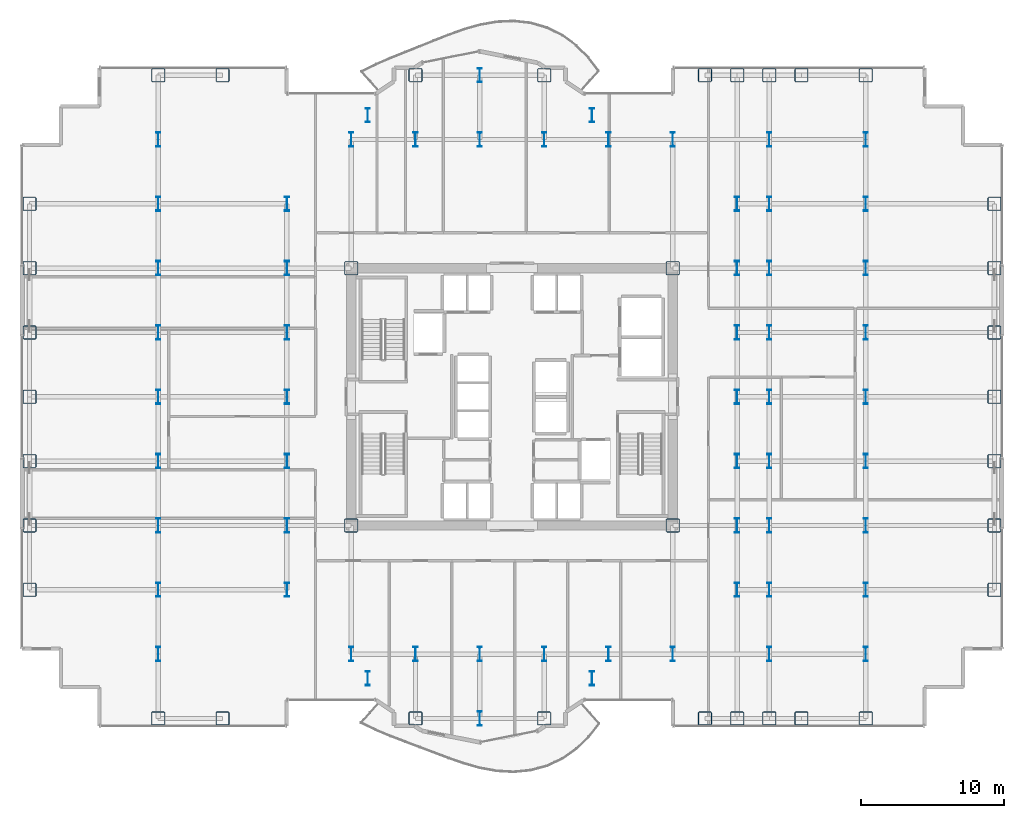
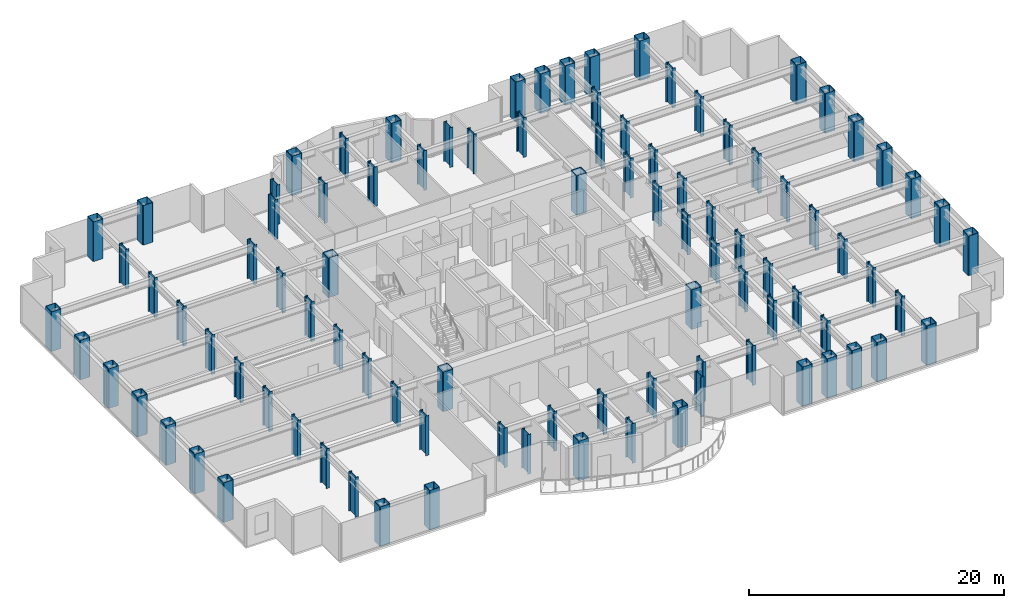
# One storey, part 1 of 29: 95 columns.
"""IFC4 building model written with IfcOpenShell, lengths in metres."""

from ifc_helpers import new_model, si_unit, direction, frame, origin, origin_2d, place, context, subcontext, project, spatial, hollow_rectangle, i_section, extrude, source, transform, mapped, material, material_profile, profile_set, type_object, element, save


model = new_model("IFC4")

# Units and contexts
model_context = context("Model", 3, precision=1e-05, world=origin(), true_north=direction((0.0, 1.0)))
body_context = subcontext(model_context, "Body", "Model", "MODEL_VIEW")
ifc_project = project(units=[si_unit("LENGTHUNIT", "METRE"), si_unit("AREAUNIT", "SQUARE_METRE"), si_unit("VOLUMEUNIT", "CUBIC_METRE"), si_unit("PLANEANGLEUNIT", "RADIAN"), si_unit("MASSUNIT", "GRAM", prefix="KILO")], contexts=[model_context])

# Site, building, storey
site_placement = place(None, origin())
site = spatial("IfcSite", under=ifc_project, at=site_placement, CompositionType="ELEMENT")
building_placement = place(site_placement, origin())
building = spatial("IfcBuilding", under=site, at=building_placement, Name="Nefas-Gora Pilgrimage Tower", CompositionType="ELEMENT")
storey_placement = place(building_placement, frame((0.0, 0.0, 44.39990234375)))
storey = spatial("IfcBuildingStorey", under=building, at=storey_placement, Name="L09", CompositionType="ELEMENT", Elevation=44.39990234375)

# Columns
ifc_material = material(Name="Steel S460", Category="steel")
ifc_material_profile_1 = material_profile(ifc_material, hollow_rectangle(XDim=0.949951171875, YDim=0.949951171875, WallThickness=0.044921875, InnerFilletRadius=0.044921875, OuterFilletRadius=0.090087890625, at=origin_2d()), Name="BOX 950x950x45")
ifc_profile_set_1 = profile_set([ifc_material_profile_1], Name="Steel S460")
column_type_1 = type_object("IfcColumnType", Name="COL-TUBE-950", PredefinedType="COLUMN", material=ifc_profile_set_1)
shared_shape_1 = source(origin(), body_context, "Body", "SweptSolid", [
    extrude(hollow_rectangle(XDim=0.949951171875, YDim=0.949951171875, WallThickness=0.044921875, InnerFilletRadius=0.044921875, OuterFilletRadius=0.090087890625, at=origin_2d()), origin(), (0.0, 0.0, 1.0), 3.800048828125),
])
for number, where, z_axis, x_axis, name in (
    (1, (-33.75, -13.5, 0.0), (0.0, 0.0, 1.0), (1.0, 0.0, 0.0), "L09 Tower Column C-Z1.1"),
    (2, (-33.75, -9.0, 0.0), (0.0, 0.0, 1.0), (1.0, 0.0, 0.0), "L09 Tower Column C-Z1.2"),
    (3, (-33.75, -4.5, 0.0), (0.0, 0.0, 1.0), (1.0, 0.0, 0.0), "L09 Tower Column C-Z1.3"),
    (4, (-33.75, 0.0, 0.0), (0.0, 0.0, 1.0), (1.0, 0.0, 0.0), "L09 Tower Column C-Z1.4"),
    (5, (-33.75, 4.5, 0.0), (0.0, 0.0, 1.0), (1.0, 0.0, 0.0), "L09 Tower Column C-Z1.5"),
    (6, (-33.75, 9.0, 0.0), (0.0, 0.0, 1.0), (1.0, 0.0, 0.0), "L09 Tower Column C-Z1.6"),
    (7, (-33.75, 13.5, 0.0), (0.0, 0.0, 1.0), (1.0, 0.0, 0.0), "L09 Tower Column C-Z1.7"),
    (8, (-24.75, -22.5, 0.0), (0.0, 0.0, 1.0), (1.0, 0.0, 0.0), "L09 Tower Column C-Z1.8"),
    (9, (-24.75, 22.5, 0.0), (0.0, 0.0, 1.0), (1.0, 0.0, 0.0), "L09 Tower Column C-Z1.18"),
    (10, (-20.25, -22.5, 0.0), (0.0, 0.0, 1.0), (1.0, 0.0, 0.0), "L09 Tower Column C-Z1.19"),
    (11, (-20.25, 22.5, 0.0), (0.0, 0.0, 1.0), (1.0, 0.0, 0.0), "L09 Tower Column C-Z1.20"),
    (12, (-6.75, -22.5, 0.0), (0.0, 0.0, 1.0), (1.0, 0.0, 0.0), "L09 Tower Column C-Z1.34"),
    (13, (-6.75, 22.5, 0.0), (0.0, 0.0, 1.0), (1.0, 0.0, 0.0), "L09 Tower Column C-Z1.37"),
    (14, (2.25, -22.5, 0.0), (0.0, 0.0, 1.0), (1.0, 0.0, 0.0), "L09 Tower Column C-Z1.42"),
    (15, (2.25, 22.5, 0.0), (0.0, 0.0, 1.0), (1.0, 0.0, 0.0), "L09 Tower Column C-Z1.45"),
    (16, (13.5, -22.5, 0.0), (0.0, 0.0, 1.0), (1.0, 0.0, 0.0), "L09 Tower Column C-Z1.54"),
    (17, (13.5, 22.5, 0.0), (0.0, 0.0, 1.0), (1.0, 0.0, 0.0), "L09 Tower Column C-Z1.55"),
    (18, (15.75, -22.5, 0.0), (0.0, 0.0, 1.0), (1.0, 0.0, 0.0), "L09 Tower Column C-Z1.56"),
    (19, (15.75, 22.5, 0.0), (0.0, 0.0, 1.0), (1.0, 0.0, 0.0), "L09 Tower Column C-Z1.64"),
    (20, (18.0, -22.5, 0.0), (0.0, 0.0, 1.0), (1.0, 0.0, 0.0), "L09 Tower Column C-Z1.65"),
    (21, (18.0, 22.5, 0.0), (0.0, 0.0, 1.0), (1.0, 0.0, 0.0), "L09 Tower Column C-Z1.75"),
    (22, (20.25, -22.5, 0.0), (0.0, 0.0, 1.0), (1.0, 0.0, 0.0), "L09 Tower Column C-Z1.76"),
    (23, (20.25, 22.5, 0.0), (0.0, 0.0, 1.0), (1.0, 0.0, 0.0), "L09 Tower Column C-Z1.77"),
    (24, (24.75, -22.5, 0.0), (0.0, 0.0, 1.0), (1.0, 0.0, 0.0), "L09 Tower Column C-Z1.78"),
    (25, (24.75, 22.5, 0.0), (0.0, 0.0, 1.0), (1.0, 0.0, 0.0), "L09 Tower Column C-Z1.88"),
    (26, (33.75, -13.5, 0.0), (0.0, 0.0, 1.0), (1.0, 0.0, 0.0), "L09 Tower Column C-Z1.89"),
    (27, (33.75, -9.0, 0.0), (0.0, 0.0, 1.0), (1.0, 0.0, 0.0), "L09 Tower Column C-Z1.90"),
    (28, (33.75, -4.5, 0.0), (0.0, 0.0, 1.0), (1.0, 0.0, 0.0), "L09 Tower Column C-Z1.91"),
    (29, (33.75, 0.0, 0.0), (0.0, 0.0, 1.0), (1.0, 0.0, 0.0), "L09 Tower Column C-Z1.92"),
    (30, (33.75, 4.5, 0.0), (0.0, 0.0, 1.0), (1.0, 0.0, 0.0), "L09 Tower Column C-Z1.93"),
    (31, (33.75, 9.0, 0.0), (0.0, 0.0, 1.0), (1.0, 0.0, 0.0), "L09 Tower Column C-Z1.94"),
    (32, (33.75, 13.5, 0.0), (0.0, 0.0, 1.0), (1.0, 0.0, 0.0), "L09 Tower Column C-Z1.95"),
):
    element("IfcColumn", number, at=place(storey_placement, frame(where, z_axis=z_axis, x_axis=x_axis)), inside=storey, type_object=column_type_1, Name=name, PredefinedType="COLUMN", context=body_context, shape_type="MappedRepresentation", body=[
        mapped(shared_shape_1, transform((0.0, 0.0, 0.0), x_axis=(1.0, 0.0, 0.0), y_axis=(0.0, 1.0, 0.0), z_axis=(0.0, 0.0, 1.0), scale=1.0)),
    ])
ifc_material_profile_2 = material_profile(ifc_material, i_section(OverallWidth=0.302001953125, OverallDepth=1.008056640625, WebThickness=0.02099609375, FlangeThickness=0.0400390625, FilletRadius=0.030029296875, at=origin_2d()), Name="HEM 1000")
ifc_profile_set_2 = profile_set([ifc_material_profile_2], Name="Steel S460")
column_type_2 = type_object("IfcColumnType", Name="COL-WEB-HEM1000", PredefinedType="COLUMN", material=ifc_profile_set_2)
shared_shape_2 = source(origin(), body_context, "Body", "SweptSolid", [
    extrude(i_section(OverallWidth=0.302001953125, OverallDepth=1.008056640625, WebThickness=0.02099609375, FlangeThickness=0.0400390625, FilletRadius=0.030029296875, at=origin_2d()), origin(), (0.0, 0.0, 1.0), 3.800048828125),
])
for number, where, z_axis, x_axis, name in (
    (33, (-24.75, -18.0, 0.0), (0.0, 0.0, 1.0), (1.0, 0.0, 0.0), "L09 Tower Column CW-01.9"),
    (34, (-24.75, -13.5, 0.0), (0.0, 0.0, 1.0), (1.0, 0.0, 0.0), "L09 Tower Column CW-01.10"),
    (35, (-24.75, -9.0, 0.0), (0.0, 0.0, 1.0), (1.0, 0.0, 0.0), "L09 Tower Column CW-01.11"),
    (36, (-24.75, -4.5, 0.0), (0.0, 0.0, 1.0), (1.0, 0.0, 0.0), "L09 Tower Column CW-01.12"),
    (37, (-24.75, 0.0, 0.0), (0.0, 0.0, 1.0), (1.0, 0.0, 0.0), "L09 Tower Column CW-01.13"),
    (38, (-24.75, 4.5, 0.0), (0.0, 0.0, 1.0), (1.0, 0.0, 0.0), "L09 Tower Column CW-01.14"),
    (39, (-24.75, 9.0, 0.0), (0.0, 0.0, 1.0), (1.0, 0.0, 0.0), "L09 Tower Column CW-01.15"),
    (40, (-24.75, 13.5, 0.0), (0.0, 0.0, 1.0), (1.0, 0.0, 0.0), "L09 Tower Column CW-01.16"),
    (41, (-24.75, 18.0, 0.0), (0.0, 0.0, 1.0), (1.0, 0.0, 0.0), "L09 Tower Column CW-01.17"),
    (42, (-15.75, -13.5, 0.0), (0.0, 0.0, 1.0), (1.0, 0.0, 0.0), "L09 Tower Column CW-01.21"),
    (43, (-15.75, -9.0, 0.0), (0.0, 0.0, 1.0), (1.0, 0.0, 0.0), "L09 Tower Column CW-01.22"),
    (44, (-15.75, -4.5, 0.0), (0.0, 0.0, 1.0), (1.0, 0.0, 0.0), "L09 Tower Column CW-01.23"),
    (45, (-15.75, 0.0, 0.0), (0.0, 0.0, 1.0), (1.0, 0.0, 0.0), "L09 Tower Column CW-01.24"),
    (46, (-15.75, 4.5, 0.0), (0.0, 0.0, 1.0), (1.0, 0.0, 0.0), "L09 Tower Column CW-01.25"),
    (47, (-15.75, 9.0, 0.0), (0.0, 0.0, 1.0), (1.0, 0.0, 0.0), "L09 Tower Column CW-01.26"),
    (48, (-15.75, 13.5, 0.0), (0.0, 0.0, 1.0), (1.0, 0.0, 0.0), "L09 Tower Column CW-01.27"),
    (49, (-11.25, -18.0, 0.0), (0.0, 0.0, 1.0), (1.0, 0.0, 0.0), "L09 Tower Column CW-01.28"),
    (50, (-11.25, 18.0, 0.0), (0.0, 0.0, 1.0), (1.0, 0.0, 0.0), "L09 Tower Column CW-01.31"),
    (51, (-10.091064453125, -19.696044921875, 0.0), (0.0, 0.0, 1.0), (1.0, 0.0, 0.0), "L09 Tower Column CW-01.32"),
    (52, (-10.091064453125, 19.696044921875, 0.0), (0.0, 0.0, 1.0), (1.0, 0.0, 0.0), "L09 Tower Column CW-01.33"),
    (53, (-6.75, -18.0, 0.0), (0.0, 0.0, 1.0), (1.0, 0.0, 0.0), "L09 Tower Column CW-01.35"),
    (54, (-6.75, 18.0, 0.0), (0.0, 0.0, 1.0), (1.0, 0.0, 0.0), "L09 Tower Column CW-01.36"),
    (55, (-2.25, -22.5, 0.0), (0.0, 0.0, 1.0), (1.0, 0.0, 0.0), "L09 Tower Column CW-01.38"),
    (56, (-2.25, -18.0, 0.0), (0.0, 0.0, 1.0), (1.0, 0.0, 0.0), "L09 Tower Column CW-01.39"),
    (57, (-2.25, 18.0, 0.0), (0.0, 0.0, 1.0), (1.0, 0.0, 0.0), "L09 Tower Column CW-01.40"),
    (58, (-2.25, 22.5, 0.0), (0.0, 0.0, 1.0), (1.0, 0.0, 0.0), "L09 Tower Column CW-01.41"),
    (59, (2.25, -18.0, 0.0), (0.0, 0.0, 1.0), (1.0, 0.0, 0.0), "L09 Tower Column CW-01.43"),
    (60, (2.25, 18.0, 0.0), (0.0, 0.0, 1.0), (1.0, 0.0, 0.0), "L09 Tower Column CW-01.44"),
    (61, (5.591064453125, -19.696044921875, 0.0), (0.0, 0.0, 1.0), (1.0, 0.0, 0.0), "L09 Tower Column CW-01.46"),
    (62, (5.591064453125, 19.696044921875, 0.0), (0.0, 0.0, 1.0), (1.0, 0.0, 0.0), "L09 Tower Column CW-01.47"),
    (63, (6.75, -18.0, 0.0), (0.0, 0.0, 1.0), (1.0, 0.0, 0.0), "L09 Tower Column CW-01.48"),
    (64, (6.75, 18.0, 0.0), (0.0, 0.0, 1.0), (1.0, 0.0, 0.0), "L09 Tower Column CW-01.49"),
    (65, (11.25, -18.0, 0.0), (0.0, 0.0, 1.0), (1.0, 0.0, 0.0), "L09 Tower Column CW-01.50"),
    (66, (11.25, 18.0, 0.0), (0.0, 0.0, 1.0), (1.0, 0.0, 0.0), "L09 Tower Column CW-01.53"),
    (67, (15.75, -13.5, 0.0), (0.0, 0.0, 1.0), (1.0, 0.0, 0.0), "L09 Tower Column CW-01.57"),
    (68, (15.75, -9.0, 0.0), (0.0, 0.0, 1.0), (1.0, 0.0, 0.0), "L09 Tower Column CW-01.58"),
    (69, (15.75, -4.5, 0.0), (0.0, 0.0, 1.0), (1.0, 0.0, 0.0), "L09 Tower Column CW-01.59"),
    (70, (15.75, 0.0, 0.0), (0.0, 0.0, 1.0), (1.0, 0.0, 0.0), "L09 Tower Column CW-01.60"),
    (71, (15.75, 4.5, 0.0), (0.0, 0.0, 1.0), (1.0, 0.0, 0.0), "L09 Tower Column CW-01.61"),
    (72, (15.75, 9.0, 0.0), (0.0, 0.0, 1.0), (1.0, 0.0, 0.0), "L09 Tower Column CW-01.62"),
    (73, (15.75, 13.5, 0.0), (0.0, 0.0, 1.0), (1.0, 0.0, 0.0), "L09 Tower Column CW-01.63"),
    (74, (18.0, -18.0, 0.0), (0.0, 0.0, 1.0), (1.0, 0.0, 0.0), "L09 Tower Column CW-01.66"),
    (75, (18.0, -13.5, 0.0), (0.0, 0.0, 1.0), (1.0, 0.0, 0.0), "L09 Tower Column CW-01.67"),
    (76, (18.0, -9.0, 0.0), (0.0, 0.0, 1.0), (1.0, 0.0, 0.0), "L09 Tower Column CW-01.68"),
    (77, (18.0, -4.5, 0.0), (0.0, 0.0, 1.0), (1.0, 0.0, 0.0), "L09 Tower Column CW-01.69"),
    (78, (18.0, 0.0, 0.0), (0.0, 0.0, 1.0), (1.0, 0.0, 0.0), "L09 Tower Column CW-01.70"),
    (79, (18.0, 4.5, 0.0), (0.0, 0.0, 1.0), (1.0, 0.0, 0.0), "L09 Tower Column CW-01.71"),
    (80, (18.0, 9.0, 0.0), (0.0, 0.0, 1.0), (1.0, 0.0, 0.0), "L09 Tower Column CW-01.72"),
    (81, (18.0, 13.5, 0.0), (0.0, 0.0, 1.0), (1.0, 0.0, 0.0), "L09 Tower Column CW-01.73"),
    (82, (18.0, 18.0, 0.0), (0.0, 0.0, 1.0), (1.0, 0.0, 0.0), "L09 Tower Column CW-01.74"),
    (83, (24.75, -18.0, 0.0), (0.0, 0.0, 1.0), (1.0, 0.0, 0.0), "L09 Tower Column CW-01.79"),
    (84, (24.75, -13.5, 0.0), (0.0, 0.0, 1.0), (1.0, 0.0, 0.0), "L09 Tower Column CW-01.80"),
    (85, (24.75, -9.0, 0.0), (0.0, 0.0, 1.0), (1.0, 0.0, 0.0), "L09 Tower Column CW-01.81"),
    (86, (24.75, -4.5, 0.0), (0.0, 0.0, 1.0), (1.0, 0.0, 0.0), "L09 Tower Column CW-01.82"),
    (87, (24.75, 0.0, 0.0), (0.0, 0.0, 1.0), (1.0, 0.0, 0.0), "L09 Tower Column CW-01.83"),
    (88, (24.75, 4.5, 0.0), (0.0, 0.0, 1.0), (1.0, 0.0, 0.0), "L09 Tower Column CW-01.84"),
    (89, (24.75, 9.0, 0.0), (0.0, 0.0, 1.0), (1.0, 0.0, 0.0), "L09 Tower Column CW-01.85"),
    (90, (24.75, 13.5, 0.0), (0.0, 0.0, 1.0), (1.0, 0.0, 0.0), "L09 Tower Column CW-01.86"),
    (91, (24.75, 18.0, 0.0), (0.0, 0.0, 1.0), (1.0, 0.0, 0.0), "L09 Tower Column CW-01.87"),
):
    element("IfcColumn", number, at=place(storey_placement, frame(where, z_axis=z_axis, x_axis=x_axis)), inside=storey, type_object=column_type_2, Name=name, PredefinedType="COLUMN", context=body_context, shape_type="MappedRepresentation", body=[
        mapped(shared_shape_2, transform((0.0, 0.0, 0.0), x_axis=(1.0, 0.0, 0.0), y_axis=(0.0, 1.0, 0.0), z_axis=(0.0, 0.0, 1.0), scale=1.0)),
    ])
ifc_material_profile_3 = material_profile(ifc_material, hollow_rectangle(XDim=0.949951171875, YDim=0.949951171875, WallThickness=0.044921875, InnerFilletRadius=0.044921875, OuterFilletRadius=0.090087890625, at=origin_2d()), Name="BOX 950x950x45")
ifc_profile_set_3 = profile_set([ifc_material_profile_3], Name="Steel S460")
column_type_3 = type_object("IfcColumnType", Name="COL-CORE-950", PredefinedType="COLUMN", material=ifc_profile_set_3)
shared_shape_3 = source(origin(), body_context, "Body", "SweptSolid", [
    extrude(hollow_rectangle(XDim=0.949951171875, YDim=0.949951171875, WallThickness=0.044921875, InnerFilletRadius=0.044921875, OuterFilletRadius=0.090087890625, at=origin_2d()), origin(), (0.0, 0.0, 1.0), 3.800048828125),
])
for number, where, z_axis, x_axis, name in (
    (92, (-11.25, -9.0, 0.0), (0.0, 0.0, 1.0), (1.0, 0.0, 0.0), "L09 Tower Column CC-Z1.29"),
    (93, (-11.25, 9.0, 0.0), (0.0, 0.0, 1.0), (1.0, 0.0, 0.0), "L09 Tower Column CC-Z1.30"),
    (94, (11.25, -9.0, 0.0), (0.0, 0.0, 1.0), (1.0, 0.0, 0.0), "L09 Tower Column CC-Z1.51"),
    (95, (11.25, 9.0, 0.0), (0.0, 0.0, 1.0), (1.0, 0.0, 0.0), "L09 Tower Column CC-Z1.52"),
):
    element("IfcColumn", number, at=place(storey_placement, frame(where, z_axis=z_axis, x_axis=x_axis)), inside=storey, type_object=column_type_3, Name=name, PredefinedType="COLUMN", context=body_context, shape_type="MappedRepresentation", body=[
        mapped(shared_shape_3, transform((0.0, 0.0, 0.0), x_axis=(1.0, 0.0, 0.0), y_axis=(0.0, 1.0, 0.0), z_axis=(0.0, 0.0, 1.0), scale=1.0)),
    ])

save(model, "model.ifc")
